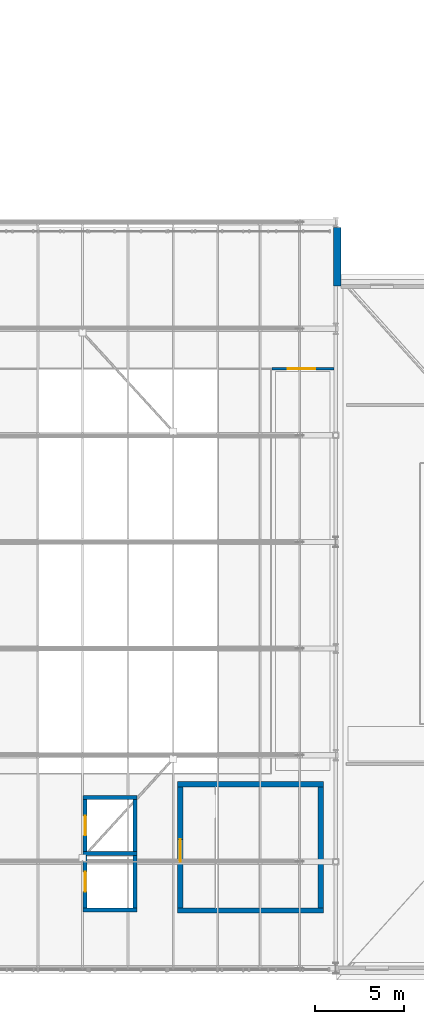
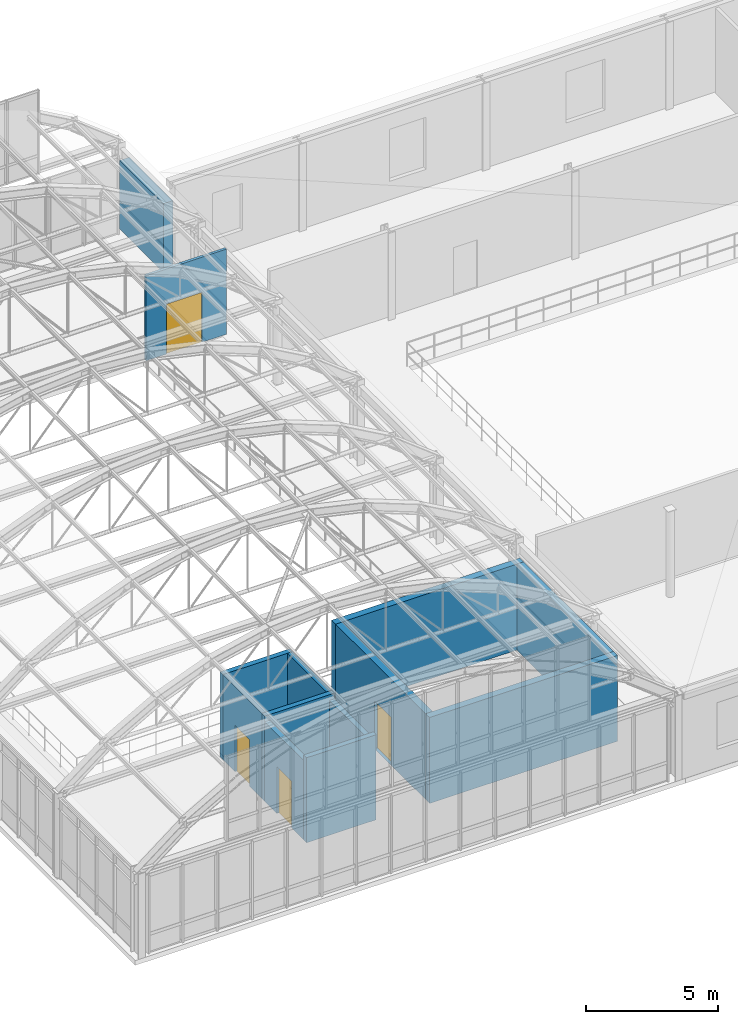
# One storey, part 128 of 148: 13 walls, 4 doors, 4 openings.
"""IFC4 building model written with IfcOpenShell, lengths in metres."""

from ifc_helpers import new_model, si_unit, direction, frame, frame_2d, origin, place, context, subcontext, project, spatial, rectangle, extrude, material, layer, layer_set, type_object, element, fill, save


model = new_model("IFC4")

# Units and contexts
model_context = context("Model", 3, precision=1e-05, world=origin(), true_north=direction((0.0, 1.0)))
body_context = subcontext(model_context, "Body", "Model", "MODEL_VIEW")
ifc_project = project(units=[si_unit("LENGTHUNIT", "METRE"), si_unit("AREAUNIT", "SQUARE_METRE"), si_unit("VOLUMEUNIT", "CUBIC_METRE"), si_unit("PLANEANGLEUNIT", "RADIAN"), si_unit("MASSUNIT", "GRAM", prefix="KILO"), si_unit("THERMODYNAMICTEMPERATUREUNIT", "KELVIN"), si_unit("POWERUNIT", "WATT")], contexts=[model_context])

# Site, building, storey
site_placement = place(None, origin())
site = spatial("IfcSite", under=ifc_project, at=site_placement, CompositionType="ELEMENT")
building_placement = place(site_placement, origin())
building = spatial("IfcBuilding", under=site, at=building_placement, Name="Solvatero Civic Police Headquarters", CompositionType="ELEMENT")
storey_placement = place(building_placement, frame((0.0, 0.0, 5.10009765625)))
storey = spatial("IfcBuildingStorey", under=building, at=storey_placement, Name="L01", CompositionType="ELEMENT", Elevation=5.10009765625)

# Wall
ifc_material_1 = material(Name="Cream Limestone Ashlar", Category="masonry")
ifc_layer_1 = layer(ifc_material_1, 0.419921875)
ifc_layer_set_1 = layer_set([ifc_layer_1], Name="Cream Limestone Ashlar")
wall_type_1 = type_object("IfcWallType", Name="WL-EXT-LIME-420", PredefinedType="SOLIDWALL", material=ifc_layer_set_1)
wall_1_placement = place(storey_placement, frame((122.280029296875, 43.199951171875, 0.0), z_axis=(0.0, 0.0, 1.0), x_axis=(0.0, 1.0, 0.0)))
element("IfcWall", 1, at=wall_1_placement, inside=storey, type_object=wall_type_1, Name="Exterior Wall WLE-L01-V1-NE", PredefinedType="SOLIDWALL", context=body_context, shape_type="SweptSolid", body=[
    extrude(rectangle(XDim=3.300048828125, YDim=0.419921875, at=frame_2d((1.64990234375, 0.0))), origin(), (0.0, 0.0, 1.0), 3.169921875),
])

# Wall, opening, door
ifc_material_2 = material(Name="Gypsum Acoustic Stud", Category="gypsum")
ifc_layer_2 = layer(ifc_material_2, 0.1201171875)
ifc_layer_set_2 = layer_set([ifc_layer_2], Name="Gypsum Acoustic Stud")
wall_type_2 = type_object("IfcWallType", Name="WL-PTN-120", PredefinedType="PARTITIONING", material=ifc_layer_set_2)
wall_2_placement = place(storey_placement, frame((118.60009765625, 38.550048828125, 0.0), z_axis=(0.0, 0.0, 1.0), x_axis=(1.0, 0.0, 0.0)))
wall_2 = element("IfcWall", 2, at=wall_2_placement, inside=storey, type_object=wall_type_2, Name="Interior Partition WLP-L01-CADV-N", PredefinedType="PARTITIONING", context=body_context, shape_type="SweptSolid", body=[
    extrude(rectangle(XDim=3.5, YDim=0.1201171875, at=frame_2d((1.75, 0.0))), origin(), (0.0, 0.0, 1.0), 3.919921875),
])
opening_1_placement = place(wall_2_placement, frame((0.89990234375, 0.0, 0.0)))
opening_1 = element("IfcOpeningElement", 3, at=opening_1_placement, cuts=wall_2, Name="Opening ID-14", PredefinedType="OPENING", context=body_context, shape_type="SweptSolid", body=[
    extrude(rectangle(XDim=1.5400390625, YDim=2.300048828125, at=frame_2d((0.77001953125, 1.14990234375))), frame((0.0, 0.070068359375, 0.0), z_axis=(0.0, -1.0, 0.0), x_axis=(1.0, 0.0, 0.0)), (0.0, 0.0, 1.0), 0.14013671875),
])
ifc_material_3 = material(Name="Powder-Coated Steel", Category="steel")
door_type_1 = type_object("IfcDoorType", Name="DR-DBL-154x230", OperationType="NOTDEFINED", PredefinedType="DOOR", material=ifc_material_3)
door_1_placement = place(opening_1_placement, origin())
door_1 = element("IfcDoor", 4, at=door_1_placement, inside=storey, type_object=door_type_1, Name="Interior Door DR-L01-CADV", OperationType="DOUBLE_DOOR_SINGLE_SWING", OverallHeight=2.300048828125, OverallWidth=1.5400390625, PredefinedType="DOOR", context=body_context, shape_type="SweptSolid", body=[
    extrude(rectangle(XDim=1.5400390625, YDim=2.300048828125, at=frame_2d((0.77001953125, 1.14990234375))), frame((0.0, 0.02490234375, 0.0), z_axis=(0.0, -1.0, 0.0), x_axis=(1.0, 0.0, 0.0)), (0.0, 0.0, 1.0), 0.050048828125),
])
fill(opening_1, door_1)

# Walls
ifc_material_4 = material(Name="Concrete C35/45", Category="concrete")
ifc_layer_3 = layer(ifc_material_4, 0.219970703125)
ifc_layer_set_3 = layer_set([ifc_layer_3], Name="Concrete C35/45")
wall_type_3 = type_object("IfcWallType", Name="WL-SHF-220", PredefinedType="PARTITIONING", material=ifc_layer_set_3)
for number, where, z_axis, x_axis, name in (
    (5, (107.97998046875, 8.090087890625, 0.0), (0.0, 0.0, 1.0), (1.0, 0.0, 0.0), "Lift Shaft Wall WLS-LP-04-L01-S"),
    (6, (107.97998046875, 11.25, 0.0), (0.0, 0.0, 1.0), (1.0, 0.0, 0.0), "Lift Shaft Wall WLS-LP-04-L01-N"),
):
    element("IfcWall", number, at=place(storey_placement, frame(where, z_axis=z_axis, x_axis=x_axis)), inside=storey, type_object=wall_type_3, Name=name, PredefinedType="PARTITIONING", context=body_context, shape_type="SweptSolid", body=[
        extrude(rectangle(XDim=3.0400390625, YDim=0.219970703125, at=frame_2d((1.52001953125, 0.0))), origin(), (0.0, 0.0, 1.0), 3.919921875),
    ])

# Wall, opening, door
wall_3_placement = place(storey_placement, frame((108.090087890625, 8.199951171875, 0.0), z_axis=(0.0, 0.0, 1.0), x_axis=(0.0, 1.0, 0.0)))
wall_3 = element("IfcWall", 7, at=wall_3_placement, inside=storey, type_object=wall_type_3, Name="Lift Shaft Wall WLS-LP-04-L01-W", PredefinedType="PARTITIONING", context=body_context, shape_type="SweptSolid", body=[
    extrude(rectangle(XDim=2.93994140625, YDim=0.219970703125, at=frame_2d((1.469970703125, 0.0))), origin(), (0.0, 0.0, 1.0), 3.661865234375),
])
opening_2_placement = place(wall_3_placement, frame((0.919921875, 0.0, 0.0)))
opening_2 = element("IfcOpeningElement", 8, at=opening_2_placement, cuts=wall_3, Name="Opening LD-01", PredefinedType="OPENING", context=body_context, shape_type="SweptSolid", body=[
    extrude(rectangle(XDim=1.10009765625, YDim=2.14990234375, at=frame_2d((0.550048828125, 1.074951171875))), frame((0.0, 0.119873046875, 0.0), z_axis=(0.0, -1.0, 0.0), x_axis=(1.0, 0.0, 0.0)), (0.0, 0.0, 1.0), 0.239990234375),
])
ifc_material_5 = material(Name="Stainless Steel Grade 316", Category="steel")
door_type_2 = type_object("IfcDoorType", Name="DR-LFT-110x215", OperationType="DOUBLE_DOOR_SLIDING", PredefinedType="DOOR", material=ifc_material_5)
door_2_placement = place(opening_2_placement, origin())
door_2 = element("IfcDoor", 9, at=door_2_placement, inside=storey, type_object=door_type_2, Name="Interior Door DR-LFT-LP-04-L01", OperationType="DOUBLE_DOOR_SLIDING", OverallHeight=2.14990234375, OverallWidth=1.10009765625, PredefinedType="DOOR", context=body_context, shape_type="SweptSolid", body=[
    extrude(rectangle(XDim=1.10009765625, YDim=2.14990234375, at=frame_2d((0.550048828125, 1.074951171875))), frame((0.0, 0.02490234375, 0.0), z_axis=(0.0, -1.0, 0.0), x_axis=(1.0, 0.0, 0.0)), (0.0, 0.0, 1.0), 0.050048828125),
])
fill(opening_2, door_2)

# Walls
wall_4_placement = place(storey_placement, frame((110.909912109375, 8.199951171875, 0.0), z_axis=(0.0, 0.0, 1.0), x_axis=(0.0, 1.0, 0.0)))
element("IfcWall", 10, at=wall_4_placement, inside=storey, type_object=wall_type_3, Name="Lift Shaft Wall WLS-LP-04-L01-E", PredefinedType="PARTITIONING", context=body_context, shape_type="SweptSolid", body=[
    extrude(rectangle(XDim=2.93994140625, YDim=0.219970703125, at=frame_2d((1.469970703125, 0.0))), origin(), (0.0, 0.0, 1.0), 3.661865234375),
])
wall_5_placement = place(storey_placement, frame((107.97998046875, 14.409912109375, 0.0), z_axis=(0.0, 0.0, 1.0), x_axis=(1.0, 0.0, 0.0)))
element("IfcWall", 11, at=wall_5_placement, inside=storey, type_object=wall_type_3, Name="Lift Shaft Wall WLS-LP-05-L01-N", PredefinedType="PARTITIONING", context=body_context, shape_type="SweptSolid", body=[
    extrude(rectangle(XDim=3.0400390625, YDim=0.219970703125, at=frame_2d((1.52001953125, 0.0))), origin(), (0.0, 0.0, 1.0), 3.919921875),
])

# Wall, opening, door
wall_6_placement = place(storey_placement, frame((108.090087890625, 11.360107421875, 0.0), z_axis=(0.0, 0.0, 1.0), x_axis=(0.0, 1.0, 0.0)))
wall_6 = element("IfcWall", 12, at=wall_6_placement, inside=storey, type_object=wall_type_3, Name="Lift Shaft Wall WLS-LP-05-L01-W", PredefinedType="PARTITIONING", context=body_context, shape_type="SweptSolid", body=[
    extrude(rectangle(XDim=2.93994140625, YDim=0.219970703125, at=frame_2d((1.469970703125, 0.0))), origin(), (0.0, 0.0, 1.0), 3.919921875),
])
opening_3_placement = place(wall_6_placement, frame((0.919921875, 0.0, 0.0)))
opening_3 = element("IfcOpeningElement", 13, at=opening_3_placement, cuts=wall_6, Name="Opening LD-01", PredefinedType="OPENING", context=body_context, shape_type="SweptSolid", body=[
    extrude(rectangle(XDim=1.10009765625, YDim=2.14990234375, at=frame_2d((0.550048828125, 1.074951171875))), frame((0.0, 0.119873046875, 0.0), z_axis=(0.0, -1.0, 0.0), x_axis=(1.0, 0.0, 0.0)), (0.0, 0.0, 1.0), 0.239990234375),
])
door_3_placement = place(opening_3_placement, origin())
door_3 = element("IfcDoor", 14, at=door_3_placement, inside=storey, type_object=door_type_2, Name="Interior Door DR-LFT-LP-05-L01", OperationType="DOUBLE_DOOR_SLIDING", OverallHeight=2.14990234375, OverallWidth=1.10009765625, PredefinedType="DOOR", context=body_context, shape_type="SweptSolid", body=[
    extrude(rectangle(XDim=1.10009765625, YDim=2.14990234375, at=frame_2d((0.550048828125, 1.074951171875))), frame((0.0, 0.02490234375, 0.0), z_axis=(0.0, -1.0, 0.0), x_axis=(1.0, 0.0, 0.0)), (0.0, 0.0, 1.0), 0.050048828125),
])
fill(opening_3, door_3)

# Walls
wall_7_placement = place(storey_placement, frame((110.909912109375, 11.360107421875, 0.0), z_axis=(0.0, 0.0, 1.0), x_axis=(0.0, 1.0, 0.0)))
element("IfcWall", 15, at=wall_7_placement, inside=storey, type_object=wall_type_3, Name="Lift Shaft Wall WLS-LP-05-L01-E", PredefinedType="PARTITIONING", context=body_context, shape_type="SweptSolid", body=[
    extrude(rectangle(XDim=2.93994140625, YDim=0.219970703125, at=frame_2d((1.469970703125, 0.0))), origin(), (0.0, 0.0, 1.0), 3.919921875),
])
ifc_material_6 = material(Name="Concrete C40/50", Category="concrete")
ifc_layer_4 = layer(ifc_material_6, 0.300048828125)
ifc_layer_set_4 = layer_set([ifc_layer_4], Name="Concrete C40/50")
wall_type_4 = type_object("IfcWallType", Name="WL-SHR-300", PredefinedType="SHEAR", material=ifc_layer_set_4)
for number, where, z_axis, x_axis, name in (
    (16, (113.300048828125, 8.050048828125, 0.0), (0.0, 0.0, 1.0), (1.0, 0.0, 0.0), "Core C5 Shear Wall S L01"),
    (17, (113.300048828125, 15.14990234375, 0.0), (0.0, 0.0, 1.0), (1.0, 0.0, 0.0), "Core C5 Shear Wall N L01"),
):
    element("IfcWall", number, at=place(storey_placement, frame(where, z_axis=z_axis, x_axis=x_axis)), inside=storey, type_object=wall_type_4, Name=name, PredefinedType="SHEAR", context=body_context, shape_type="SweptSolid", body=[
        extrude(rectangle(XDim=8.199951171875, YDim=0.300048828125, at=frame_2d((4.10009765625, 0.0))), origin(), (0.0, 0.0, 1.0), 3.9599609375),
    ])

# Wall, opening, door
wall_8_placement = place(storey_placement, frame((113.449951171875, 8.199951171875, 0.0), z_axis=(0.0, 0.0, 1.0), x_axis=(0.0, 1.0, 0.0)))
wall_8 = element("IfcWall", 18, at=wall_8_placement, inside=storey, type_object=wall_type_4, Name="Core C5 Shear Wall W L01", PredefinedType="SHEAR", context=body_context, shape_type="SweptSolid", body=[
    extrude(rectangle(XDim=6.800048828125, YDim=0.300048828125, at=frame_2d((3.39990234375, 0.0))), origin(), (0.0, 0.0, 1.0), 3.9599609375),
])
opening_4_placement = place(wall_8_placement, frame((2.60009765625, 0.0, 0.0)))
opening_4 = element("IfcOpeningElement", 19, at=opening_4_placement, cuts=wall_8, Name="Opening FD-01", PredefinedType="OPENING", context=body_context, shape_type="SweptSolid", body=[
    extrude(rectangle(XDim=1.25, YDim=2.199951171875, at=frame_2d((0.625, 1.10009765625))), frame((0.0, 0.159912109375, 0.0), z_axis=(0.0, -1.0, 0.0), x_axis=(1.0, 0.0, 0.0)), (0.0, 0.0, 1.0), 0.320068359375),
])
door_type_3 = type_object("IfcDoorType", Name="DR-STR-125x220", OperationType="NOTDEFINED", PredefinedType="DOOR", material=ifc_material_3)
door_4_placement = place(opening_4_placement, origin())
door_4 = element("IfcDoor", 20, at=door_4_placement, inside=storey, type_object=door_type_3, Name="Interior Door DR-STR-C5-L01", OperationType="SINGLE_SWING_LEFT", OverallHeight=2.199951171875, OverallWidth=1.25, PredefinedType="DOOR", context=body_context, shape_type="SweptSolid", body=[
    extrude(rectangle(XDim=1.25, YDim=2.199951171875, at=frame_2d((0.625, 1.10009765625))), frame((0.0, 0.02490234375, 0.0), z_axis=(0.0, -1.0, 0.0), x_axis=(1.0, 0.0, 0.0)), (0.0, 0.0, 1.0), 0.050048828125),
])
fill(opening_4, door_4)

# Wall
wall_9_placement = place(storey_placement, frame((121.35009765625, 8.199951171875, 0.0), z_axis=(0.0, 0.0, 1.0), x_axis=(0.0, 1.0, 0.0)))
element("IfcWall", 21, at=wall_9_placement, inside=storey, type_object=wall_type_4, Name="Core C5 Shear Wall E L01", PredefinedType="SHEAR", context=body_context, shape_type="SweptSolid", body=[
    extrude(rectangle(XDim=6.800048828125, YDim=0.300048828125, at=frame_2d((3.39990234375, 0.0))), origin(), (0.0, 0.0, 1.0), 3.9599609375),
])

save(model, "model.ifc")
